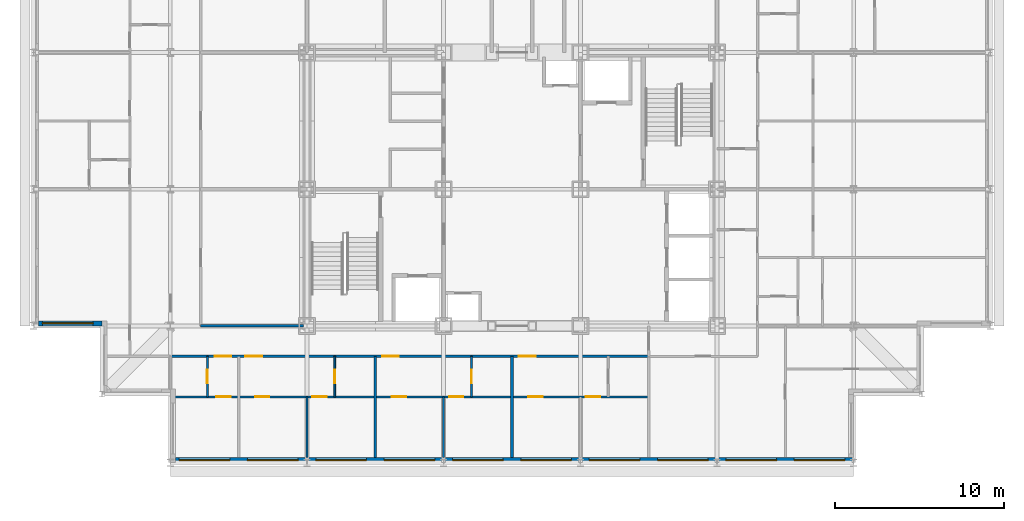
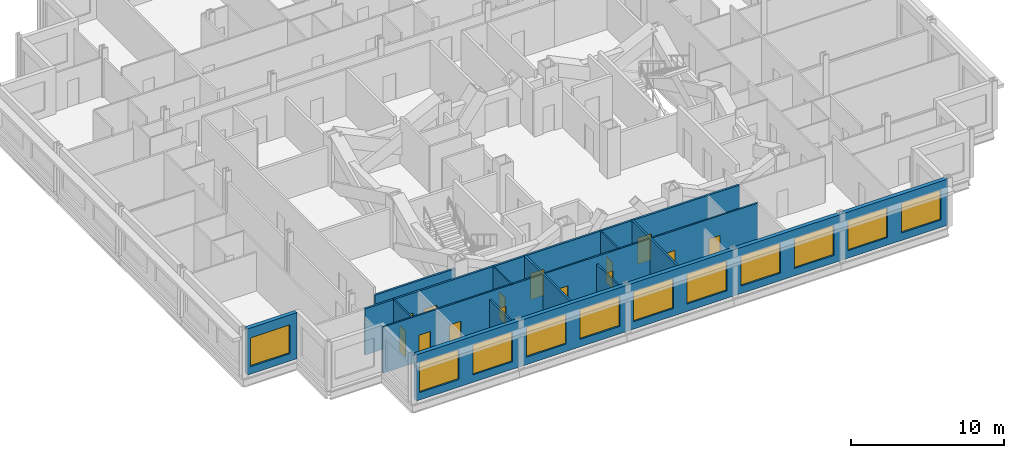
# One storey, part 7 of 16: 14 doors, 12 walls, 11 windows, 25 openings.
"""IFC4 building model written with IfcOpenShell, lengths in metres."""

from ifc_helpers import new_model, si_unit, direction, frame, frame_2d, origin, place, context, subcontext, project, spatial, rectangle, extrude, material, layer, layer_set, type_object, element, fill, save


model = new_model("IFC4")

# Units and contexts
model_context = context("Model", 3, precision=1e-05, world=origin(), true_north=direction((0.0, 1.0)))
body_context = subcontext(model_context, "Body", "Model", "MODEL_VIEW")
ifc_project = project(units=[si_unit("LENGTHUNIT", "METRE"), si_unit("AREAUNIT", "SQUARE_METRE"), si_unit("VOLUMEUNIT", "CUBIC_METRE"), si_unit("PLANEANGLEUNIT", "RADIAN"), si_unit("MASSUNIT", "GRAM", prefix="KILO")], contexts=[model_context])

# Site, building, storey
site_placement = place(None, origin())
site = spatial("IfcSite", under=ifc_project, at=site_placement, CompositionType="ELEMENT")
building_placement = place(site_placement, origin())
building = spatial("IfcBuilding", under=site, at=building_placement, Name="Kopane Lantern Tower", CompositionType="ELEMENT")
storey_placement = place(building_placement, frame((0.0, 0.0, 265.800048828125)))
storey = spatial("IfcBuildingStorey", under=building, at=storey_placement, Name="L68", CompositionType="ELEMENT", Elevation=265.800048828125)

# Walls
ifc_material_1 = material(Name="Gypsum board on steel studs", Category="steel")
ifc_layer_1 = layer(ifc_material_1, 0.1201171875)
ifc_layer_set_1 = layer_set([ifc_layer_1], Name="APARTMENT INTERNAL WALL 120")
wall_type_1 = type_object("IfcWallType", Name="APARTMENT INTERNAL WALL 120", PredefinedType="PARTITIONING", material=ifc_layer_set_1)
for number, where, z_axis, x_axis, name in (
    (1, (16.199951171875, 20.10009765625, 0.0), (0.0, 0.0, 1.0), (0.0, -1.0, 0.0), "Apartment Internal Wall 120 L68"),
    (2, (24.300048828125, 20.10009765625, 0.0), (0.0, 0.0, 1.0), (0.0, -1.0, 0.0), "Apartment Internal Wall 120 L68"),
):
    element("IfcWall", number, at=place(storey_placement, frame(where, z_axis=z_axis, x_axis=x_axis)), inside=storey, type_object=wall_type_1, Name=name, PredefinedType="PARTITIONING", context=body_context, shape_type="SweptSolid", body=[
        extrude(rectangle(XDim=3.60009765625, YDim=0.1201171875, at=frame_2d((1.800048828125, 0.0))), origin(), (0.0, 0.0, 1.0), 3.07763671875),
    ])

# Wall, openings, doors
wall_1_placement = place(storey_placement, frame((8.10009765625, 20.10009765625, 0.0), z_axis=(0.0, 0.0, 1.0), x_axis=(1.0, 0.0, 0.0)))
wall_1 = element("IfcWall", 3, at=wall_1_placement, inside=storey, type_object=wall_type_1, Name="Apartment Internal Wall 120 L68", PredefinedType="PARTITIONING", context=body_context, shape_type="SweptSolid", body=[
    extrude(rectangle(XDim=28.349853515625, YDim=0.1201171875, at=frame_2d((14.1748046875, 0.0))), origin(), (0.0, 0.0, 1.0), 3.68994140625),
])
opening_1_placement = place(wall_1_placement, frame((5.02490234375, 0.0, 0.0)))
opening_1 = element("IfcOpeningElement", 4, at=opening_1_placement, cuts=wall_1, Name="Opening L68-011", PredefinedType="OPENING", context=body_context, shape_type="SweptSolid", body=[
    extrude(rectangle(XDim=0.85009765625, YDim=2.10009765625, at=frame_2d((0.425048828125, 1.050048828125))), frame((0.0, 0.070068359375, 0.0), z_axis=(0.0, -1.0, 0.0), x_axis=(1.0, 0.0, 0.0)), (0.0, 0.0, 1.0), 0.14013671875),
])
opening_2_placement = place(wall_1_placement, frame((8.425048828125, 0.0, 0.0)))
opening_2 = element("IfcOpeningElement", 5, at=opening_2_placement, cuts=wall_1, Name="Opening L68-012", PredefinedType="OPENING", context=body_context, shape_type="SweptSolid", body=[
    extrude(rectangle(XDim=0.85009765625, YDim=2.10009765625, at=frame_2d((0.425048828125, 1.050048828125))), frame((0.0, 0.070068359375, 0.0), z_axis=(0.0, -1.0, 0.0), x_axis=(1.0, 0.0, 0.0)), (0.0, 0.0, 1.0), 0.14013671875),
])
opening_3_placement = place(wall_1_placement, frame((13.125, 0.0, 0.0)))
opening_3 = element("IfcOpeningElement", 6, at=opening_3_placement, cuts=wall_1, Name="Opening L68-015", PredefinedType="OPENING", context=body_context, shape_type="SweptSolid", body=[
    extrude(rectangle(XDim=0.85009765625, YDim=2.10009765625, at=frame_2d((0.425048828125, 1.050048828125))), frame((0.0, 0.070068359375, 0.0), z_axis=(0.0, -1.0, 0.0), x_axis=(1.0, 0.0, 0.0)), (0.0, 0.0, 1.0), 0.14013671875),
])
opening_4_placement = place(wall_1_placement, frame((16.52490234375, 0.0, 0.0)))
opening_4 = element("IfcOpeningElement", 7, at=opening_4_placement, cuts=wall_1, Name="Opening L68-016", PredefinedType="OPENING", context=body_context, shape_type="SweptSolid", body=[
    extrude(rectangle(XDim=0.85009765625, YDim=2.10009765625, at=frame_2d((0.425048828125, 1.050048828125))), frame((0.0, 0.070068359375, 0.0), z_axis=(0.0, -1.0, 0.0), x_axis=(1.0, 0.0, 0.0)), (0.0, 0.0, 1.0), 0.14013671875),
])
opening_5_placement = place(wall_1_placement, frame((21.22509765625, 0.0, 0.0)))
opening_5 = element("IfcOpeningElement", 8, at=opening_5_placement, cuts=wall_1, Name="Opening L68-019", PredefinedType="OPENING", context=body_context, shape_type="SweptSolid", body=[
    extrude(rectangle(XDim=0.85009765625, YDim=2.10009765625, at=frame_2d((0.425048828125, 1.050048828125))), frame((0.0, 0.070068359375, 0.0), z_axis=(0.0, -1.0, 0.0), x_axis=(1.0, 0.0, 0.0)), (0.0, 0.0, 1.0), 0.14013671875),
])
opening_6_placement = place(wall_1_placement, frame((24.625, 0.0, 0.0)))
opening_6 = element("IfcOpeningElement", 9, at=opening_6_placement, cuts=wall_1, Name="Opening L68-020", PredefinedType="OPENING", context=body_context, shape_type="SweptSolid", body=[
    extrude(rectangle(XDim=0.85009765625, YDim=2.10009765625, at=frame_2d((0.425048828125, 1.050048828125))), frame((0.0, 0.070068359375, 0.0), z_axis=(0.0, -1.0, 0.0), x_axis=(1.0, 0.0, 0.0)), (0.0, 0.0, 1.0), 0.14013671875),
])
opening_7_placement = place(wall_1_placement, frame((2.72509765625, 0.0, 0.0)))
opening_7 = element("IfcOpeningElement", 10, at=opening_7_placement, cuts=wall_1, Name="Opening L68-042", PredefinedType="OPENING", context=body_context, shape_type="SweptSolid", body=[
    extrude(rectangle(XDim=0.85009765625, YDim=2.10009765625, at=frame_2d((0.425048828125, 1.050048828125))), frame((0.0, 0.070068359375, 0.0), z_axis=(0.0, -1.0, 0.0), x_axis=(1.0, 0.0, 0.0)), (0.0, 0.0, 1.0), 0.14013671875),
])
ifc_material_2 = material(Name="Timber door set", Category="wood")
door_type_1 = type_object("IfcDoorType", Name="DOOR D4 850x2100", OperationType="SINGLE_SWING_LEFT", PredefinedType="DOOR", material=ifc_material_2)
door_1_placement = place(opening_1_placement, origin())
door_1 = element("IfcDoor", 11, at=door_1_placement, inside=storey, type_object=door_type_1, Name="Door L68-011", OperationType="SINGLE_SWING_LEFT", OverallHeight=2.10009765625, OverallWidth=0.85009765625, PredefinedType="DOOR", context=body_context, shape_type="SweptSolid", body=[
    extrude(rectangle(XDim=0.85009765625, YDim=2.10009765625, at=frame_2d((0.425048828125, 1.050048828125))), frame((0.0, 0.02490234375, 0.0), z_axis=(0.0, -1.0, 0.0), x_axis=(1.0, 0.0, 0.0)), (0.0, 0.0, 1.0), 0.050048828125),
])
fill(opening_1, door_1)
door_2_placement = place(opening_2_placement, origin())
door_2 = element("IfcDoor", 12, at=door_2_placement, inside=storey, type_object=door_type_1, Name="Door L68-012", OperationType="SINGLE_SWING_RIGHT", OverallHeight=2.10009765625, OverallWidth=0.85009765625, PredefinedType="DOOR", context=body_context, shape_type="SweptSolid", body=[
    extrude(rectangle(XDim=0.85009765625, YDim=2.10009765625, at=frame_2d((0.425048828125, 1.050048828125))), frame((0.0, 0.02490234375, 0.0), z_axis=(0.0, -1.0, 0.0), x_axis=(1.0, 0.0, 0.0)), (0.0, 0.0, 1.0), 0.050048828125),
])
fill(opening_2, door_2)
door_3_placement = place(opening_3_placement, origin())
door_3 = element("IfcDoor", 13, at=door_3_placement, inside=storey, type_object=door_type_1, Name="Door L68-015", OperationType="SINGLE_SWING_LEFT", OverallHeight=2.10009765625, OverallWidth=0.85009765625, PredefinedType="DOOR", context=body_context, shape_type="SweptSolid", body=[
    extrude(rectangle(XDim=0.85009765625, YDim=2.10009765625, at=frame_2d((0.425048828125, 1.050048828125))), frame((0.0, 0.02490234375, 0.0), z_axis=(0.0, -1.0, 0.0), x_axis=(1.0, 0.0, 0.0)), (0.0, 0.0, 1.0), 0.050048828125),
])
fill(opening_3, door_3)
door_4_placement = place(opening_4_placement, origin())
door_4 = element("IfcDoor", 14, at=door_4_placement, inside=storey, type_object=door_type_1, Name="Door L68-016", OperationType="SINGLE_SWING_RIGHT", OverallHeight=2.10009765625, OverallWidth=0.85009765625, PredefinedType="DOOR", context=body_context, shape_type="SweptSolid", body=[
    extrude(rectangle(XDim=0.85009765625, YDim=2.10009765625, at=frame_2d((0.425048828125, 1.050048828125))), frame((0.0, 0.02490234375, 0.0), z_axis=(0.0, -1.0, 0.0), x_axis=(1.0, 0.0, 0.0)), (0.0, 0.0, 1.0), 0.050048828125),
])
fill(opening_4, door_4)
door_5_placement = place(opening_5_placement, origin())
door_5 = element("IfcDoor", 15, at=door_5_placement, inside=storey, type_object=door_type_1, Name="Door L68-019", OperationType="SINGLE_SWING_LEFT", OverallHeight=2.10009765625, OverallWidth=0.85009765625, PredefinedType="DOOR", context=body_context, shape_type="SweptSolid", body=[
    extrude(rectangle(XDim=0.85009765625, YDim=2.10009765625, at=frame_2d((0.425048828125, 1.050048828125))), frame((0.0, 0.02490234375, 0.0), z_axis=(0.0, -1.0, 0.0), x_axis=(1.0, 0.0, 0.0)), (0.0, 0.0, 1.0), 0.050048828125),
])
fill(opening_5, door_5)
door_6_placement = place(opening_6_placement, origin())
door_6 = element("IfcDoor", 16, at=door_6_placement, inside=storey, type_object=door_type_1, Name="Door L68-020", OperationType="SINGLE_SWING_RIGHT", OverallHeight=2.10009765625, OverallWidth=0.85009765625, PredefinedType="DOOR", context=body_context, shape_type="SweptSolid", body=[
    extrude(rectangle(XDim=0.85009765625, YDim=2.10009765625, at=frame_2d((0.425048828125, 1.050048828125))), frame((0.0, 0.02490234375, 0.0), z_axis=(0.0, -1.0, 0.0), x_axis=(1.0, 0.0, 0.0)), (0.0, 0.0, 1.0), 0.050048828125),
])
fill(opening_6, door_6)
door_7_placement = place(opening_7_placement, origin())
door_7 = element("IfcDoor", 17, at=door_7_placement, inside=storey, type_object=door_type_1, Name="Door L68-042", OperationType="SINGLE_SWING_LEFT", OverallHeight=2.10009765625, OverallWidth=0.85009765625, PredefinedType="DOOR", context=body_context, shape_type="SweptSolid", body=[
    extrude(rectangle(XDim=0.85009765625, YDim=2.10009765625, at=frame_2d((0.425048828125, 1.050048828125))), frame((0.0, 0.02490234375, 0.0), z_axis=(0.0, -1.0, 0.0), x_axis=(1.0, 0.0, 0.0)), (0.0, 0.0, 1.0), 0.050048828125),
])
fill(opening_7, door_7)

# Wall, opening, door
ifc_material_3 = material(Name="Moisture-resistant board on steel studs", Category="steel")
ifc_layer_2 = layer(ifc_material_3, 0.10009765625)
ifc_layer_set_2 = layer_set([ifc_layer_2], Name="BATHROOM WALL 100")
wall_type_2 = type_object("IfcWallType", Name="BATHROOM WALL 100", PredefinedType="PARTITIONING", material=ifc_layer_set_2)
wall_2_placement = place(storey_placement, frame((17.85009765625, 22.5, 0.0), z_axis=(0.0, 0.0, 1.0), x_axis=(0.0, -1.0, 0.0)))
wall_2 = element("IfcWall", 18, at=wall_2_placement, inside=storey, type_object=wall_type_2, Name="Bathroom Wall 100 L68", PredefinedType="PARTITIONING", context=body_context, shape_type="SweptSolid", body=[
    extrude(rectangle(XDim=2.39990234375, YDim=0.10009765625, at=frame_2d((1.199951171875, 0.0))), origin(), (0.0, 0.0, 1.0), 3.68994140625),
])
opening_8_placement = place(wall_2_placement, frame((0.800048828125, 0.0, 0.0)))
opening_8 = element("IfcOpeningElement", 19, at=opening_8_placement, cuts=wall_2, Name="Opening L68-009", PredefinedType="OPENING", context=body_context, shape_type="SweptSolid", body=[
    extrude(rectangle(XDim=0.800048828125, YDim=2.10009765625, at=frame_2d((0.39990234375, 1.050048828125))), frame((0.0, 0.06005859375, 0.0), z_axis=(0.0, -1.0, 0.0), x_axis=(1.0, 0.0, 0.0)), (0.0, 0.0, 1.0), 0.1201171875),
])
ifc_material_4 = material(Name="Timber door set", Category="wood")
door_type_2 = type_object("IfcDoorType", Name="DOOR D2 800x2100", OperationType="SINGLE_SWING_LEFT", PredefinedType="DOOR", material=ifc_material_4)
door_8_placement = place(opening_8_placement, origin())
door_8 = element("IfcDoor", 20, at=door_8_placement, inside=storey, type_object=door_type_2, Name="Door L68-009", OperationType="SINGLE_SWING_LEFT", OverallHeight=2.10009765625, OverallWidth=0.800048828125, PredefinedType="DOOR", context=body_context, shape_type="SweptSolid", body=[
    extrude(rectangle(XDim=0.800048828125, YDim=2.10009765625, at=frame_2d((0.39990234375, 1.050048828125))), frame((0.0, 0.02490234375, 0.0), z_axis=(0.0, -1.0, 0.0), x_axis=(1.0, 0.0, 0.0)), (0.0, 0.0, 1.0), 0.050048828125),
])
fill(opening_8, door_8)

wall_3_placement = place(storey_placement, frame((25.949951171875, 22.5, 0.0), z_axis=(0.0, 0.0, 1.0), x_axis=(0.0, -1.0, 0.0)))
wall_3 = element("IfcWall", 21, at=wall_3_placement, inside=storey, type_object=wall_type_2, Name="Bathroom Wall 100 L68", PredefinedType="PARTITIONING", context=body_context, shape_type="SweptSolid", body=[
    extrude(rectangle(XDim=2.39990234375, YDim=0.10009765625, at=frame_2d((1.199951171875, 0.0))), origin(), (0.0, 0.0, 1.0), 3.68994140625),
])
opening_9_placement = place(wall_3_placement, frame((0.800048828125, 0.0, 0.0)))
opening_9 = element("IfcOpeningElement", 22, at=opening_9_placement, cuts=wall_3, Name="Opening L68-013", PredefinedType="OPENING", context=body_context, shape_type="SweptSolid", body=[
    extrude(rectangle(XDim=0.800048828125, YDim=2.10009765625, at=frame_2d((0.39990234375, 1.050048828125))), frame((0.0, 0.06005859375, 0.0), z_axis=(0.0, -1.0, 0.0), x_axis=(1.0, 0.0, 0.0)), (0.0, 0.0, 1.0), 0.1201171875),
])
door_9_placement = place(opening_9_placement, origin())
door_9 = element("IfcDoor", 23, at=door_9_placement, inside=storey, type_object=door_type_2, Name="Door L68-013", OperationType="SINGLE_SWING_LEFT", OverallHeight=2.10009765625, OverallWidth=0.800048828125, PredefinedType="DOOR", context=body_context, shape_type="SweptSolid", body=[
    extrude(rectangle(XDim=0.800048828125, YDim=2.10009765625, at=frame_2d((0.39990234375, 1.050048828125))), frame((0.0, 0.02490234375, 0.0), z_axis=(0.0, -1.0, 0.0), x_axis=(1.0, 0.0, 0.0)), (0.0, 0.0, 1.0), 0.050048828125),
])
fill(opening_9, door_9)

wall_4_placement = place(storey_placement, frame((10.300048828125, 22.5, 0.0), z_axis=(0.0, 0.0, 1.0), x_axis=(0.0, -1.0, 0.0)))
wall_4 = element("IfcWall", 24, at=wall_4_placement, inside=storey, type_object=wall_type_2, Name="Bathroom Wall 100 L68", PredefinedType="PARTITIONING", context=body_context, shape_type="SweptSolid", body=[
    extrude(rectangle(XDim=2.39990234375, YDim=0.10009765625, at=frame_2d((1.199951171875, 0.0))), origin(), (0.0, 0.0, 1.0), 3.68994140625),
])
opening_10_placement = place(wall_4_placement, frame((0.800048828125, 0.0, 0.0)))
opening_10 = element("IfcOpeningElement", 25, at=opening_10_placement, cuts=wall_4, Name="Opening L68-040", PredefinedType="OPENING", context=body_context, shape_type="SweptSolid", body=[
    extrude(rectangle(XDim=0.800048828125, YDim=2.10009765625, at=frame_2d((0.39990234375, 1.050048828125))), frame((0.0, 0.06005859375, 0.0), z_axis=(0.0, -1.0, 0.0), x_axis=(1.0, 0.0, 0.0)), (0.0, 0.0, 1.0), 0.1201171875),
])
door_10_placement = place(opening_10_placement, origin())
door_10 = element("IfcDoor", 26, at=door_10_placement, inside=storey, type_object=door_type_2, Name="Door L68-040", OperationType="SINGLE_SWING_RIGHT", OverallHeight=2.10009765625, OverallWidth=0.800048828125, PredefinedType="DOOR", context=body_context, shape_type="SweptSolid", body=[
    extrude(rectangle(XDim=0.800048828125, YDim=2.10009765625, at=frame_2d((0.39990234375, 1.050048828125))), frame((0.0, 0.02490234375, 0.0), z_axis=(0.0, -1.0, 0.0), x_axis=(1.0, 0.0, 0.0)), (0.0, 0.0, 1.0), 0.050048828125),
])
fill(opening_10, door_10)

# Wall, openings, doors
ifc_material_5 = material(Name="Gypsum board on steel studs", Category="steel")
ifc_layer_3 = layer(ifc_material_5, 0.14990234375)
ifc_layer_set_3 = layer_set([ifc_layer_3], Name="CORRIDOR WALL 150 EI 60")
wall_type_3 = type_object("IfcWallType", Name="CORRIDOR WALL 150 EI 60", PredefinedType="PARTITIONING", material=ifc_layer_set_3)
wall_5_placement = place(storey_placement, frame((8.10009765625, 22.5, 0.0), z_axis=(0.0, 0.0, 1.0), x_axis=(1.0, 0.0, 0.0)))
wall_5 = element("IfcWall", 27, at=wall_5_placement, inside=storey, type_object=wall_type_3, Name="Corridor Wall 150 Ei 60 L68", PredefinedType="PARTITIONING", context=body_context, shape_type="SweptSolid", body=[
    extrude(rectangle(XDim=28.349853515625, YDim=0.14990234375, at=frame_2d((14.1748046875, 0.0))), origin(), (0.0, 0.0, 1.0), 3.68994140625),
])
opening_11_placement = place(wall_5_placement, frame((4.449951171875, 0.0, 0.0)))
opening_11 = element("IfcOpeningElement", 28, at=opening_11_placement, cuts=wall_5, Name="Opening L68-010", PredefinedType="OPENING", context=body_context, shape_type="SweptSolid", body=[
    extrude(rectangle(XDim=1.0, YDim=2.10009765625, at=frame_2d((0.5, 1.050048828125))), frame((0.0, 0.0849609375, 0.0), z_axis=(0.0, -1.0, 0.0), x_axis=(1.0, 0.0, 0.0)), (0.0, 0.0, 1.0), 0.169921875),
])
opening_12_placement = place(wall_5_placement, frame((12.550048828125, 0.0, 0.0)))
opening_12 = element("IfcOpeningElement", 29, at=opening_12_placement, cuts=wall_5, Name="Opening L68-014", PredefinedType="OPENING", context=body_context, shape_type="SweptSolid", body=[
    extrude(rectangle(XDim=1.0, YDim=2.10009765625, at=frame_2d((0.5, 1.050048828125))), frame((0.0, 0.0849609375, 0.0), z_axis=(0.0, -1.0, 0.0), x_axis=(1.0, 0.0, 0.0)), (0.0, 0.0, 1.0), 0.169921875),
])
opening_13_placement = place(wall_5_placement, frame((20.64990234375, 0.0, 0.0)))
opening_13 = element("IfcOpeningElement", 30, at=opening_13_placement, cuts=wall_5, Name="Opening L68-018", PredefinedType="OPENING", context=body_context, shape_type="SweptSolid", body=[
    extrude(rectangle(XDim=1.0, YDim=2.10009765625, at=frame_2d((0.5, 1.050048828125))), frame((0.0, 0.0849609375, 0.0), z_axis=(0.0, -1.0, 0.0), x_axis=(1.0, 0.0, 0.0)), (0.0, 0.0, 1.0), 0.169921875),
])
opening_14_placement = place(wall_5_placement, frame((2.625, 0.0, 0.0)))
opening_14 = element("IfcOpeningElement", 31, at=opening_14_placement, cuts=wall_5, Name="Opening L68-041", PredefinedType="OPENING", context=body_context, shape_type="SweptSolid", body=[
    extrude(rectangle(XDim=1.0, YDim=2.10009765625, at=frame_2d((0.5, 1.050048828125))), frame((0.0, 0.0849609375, 0.0), z_axis=(0.0, -1.0, 0.0), x_axis=(1.0, 0.0, 0.0)), (0.0, 0.0, 1.0), 0.169921875),
])
ifc_material_6 = material(Name="Steel door set", Category="steel")
door_type_3 = type_object("IfcDoorType", Name="DOOR D3 1000x2100 FD30S", OperationType="SINGLE_SWING_LEFT", PredefinedType="DOOR", material=ifc_material_6)
door_11_placement = place(opening_11_placement, origin())
door_11 = element("IfcDoor", 32, at=door_11_placement, inside=storey, type_object=door_type_3, Name="Door L68-010", OperationType="SINGLE_SWING_RIGHT", OverallHeight=2.10009765625, OverallWidth=1.0, PredefinedType="DOOR", context=body_context, shape_type="SweptSolid", body=[
    extrude(rectangle(XDim=1.0, YDim=2.10009765625, at=frame_2d((0.5, 1.050048828125))), frame((0.0, 0.02490234375, 0.0), z_axis=(0.0, -1.0, 0.0), x_axis=(1.0, 0.0, 0.0)), (0.0, 0.0, 1.0), 0.050048828125),
])
fill(opening_11, door_11)
door_12_placement = place(opening_12_placement, origin())
door_12 = element("IfcDoor", 33, at=door_12_placement, inside=storey, type_object=door_type_3, Name="Door L68-014", OperationType="SINGLE_SWING_RIGHT", OverallHeight=2.10009765625, OverallWidth=1.0, PredefinedType="DOOR", context=body_context, shape_type="SweptSolid", body=[
    extrude(rectangle(XDim=1.0, YDim=2.10009765625, at=frame_2d((0.5, 1.050048828125))), frame((0.0, 0.02490234375, 0.0), z_axis=(0.0, -1.0, 0.0), x_axis=(1.0, 0.0, 0.0)), (0.0, 0.0, 1.0), 0.050048828125),
])
fill(opening_12, door_12)
door_13_placement = place(opening_13_placement, origin())
door_13 = element("IfcDoor", 34, at=door_13_placement, inside=storey, type_object=door_type_3, Name="Door L68-018", OperationType="SINGLE_SWING_RIGHT", OverallHeight=2.10009765625, OverallWidth=1.0, PredefinedType="DOOR", context=body_context, shape_type="SweptSolid", body=[
    extrude(rectangle(XDim=1.0, YDim=2.10009765625, at=frame_2d((0.5, 1.050048828125))), frame((0.0, 0.02490234375, 0.0), z_axis=(0.0, -1.0, 0.0), x_axis=(1.0, 0.0, 0.0)), (0.0, 0.0, 1.0), 0.050048828125),
])
fill(opening_13, door_13)
door_14_placement = place(opening_14_placement, origin())
door_14 = element("IfcDoor", 35, at=door_14_placement, inside=storey, type_object=door_type_3, Name="Door L68-041", OperationType="SINGLE_SWING_RIGHT", OverallHeight=2.10009765625, OverallWidth=1.0, PredefinedType="DOOR", context=body_context, shape_type="SweptSolid", body=[
    extrude(rectangle(XDim=1.0, YDim=2.10009765625, at=frame_2d((0.5, 1.050048828125))), frame((0.0, 0.02490234375, 0.0), z_axis=(0.0, -1.0, 0.0), x_axis=(1.0, 0.0, 0.0)), (0.0, 0.0, 1.0), 0.050048828125),
])
fill(opening_14, door_14)

# Walls
wall_6_placement = place(storey_placement, frame((16.0, 24.300048828125, 0.0), z_axis=(0.0, 0.0, 1.0), x_axis=(-1.0, 0.0, 0.0)))
element("IfcWall", 36, at=wall_6_placement, inside=storey, type_object=wall_type_3, Name="Corridor Wall 150 Ei 60 L68", PredefinedType="PARTITIONING", context=body_context, shape_type="SweptSolid", body=[
    extrude(rectangle(XDim=6.10009765625, YDim=0.14990234375, at=frame_2d((3.050048828125, 0.0))), origin(), (0.0, 0.0, 1.0), 3.07763671875),
])
ifc_material_7 = material(Name="Gypsum board on steel studs", Category="steel")
ifc_layer_4 = layer(ifc_material_7, 0.14990234375)
ifc_layer_set_4 = layer_set([ifc_layer_4], Name="DEMISING WALL 150 EI 60")
wall_type_4 = type_object("IfcWallType", Name="DEMISING WALL 150 EI 60", PredefinedType="PARTITIONING", material=ifc_layer_set_4)
for number, where, z_axis, x_axis, name in (
    (37, (20.25, 22.5, 0.0), (0.0, 0.0, 1.0), (0.0, -1.0, 0.0), "Demising Wall 150 Ei 60 L68"),
    (38, (28.35009765625, 22.5, 0.0), (0.0, 0.0, 1.0), (0.0, -1.0, 0.0), "Demising Wall 150 Ei 60 L68"),
):
    element("IfcWall", number, at=place(storey_placement, frame(where, z_axis=z_axis, x_axis=x_axis)), inside=storey, type_object=wall_type_4, Name=name, PredefinedType="PARTITIONING", context=body_context, shape_type="SweptSolid", body=[
        extrude(rectangle(XDim=6.0, YDim=0.14990234375, at=frame_2d((3.0, 0.0))), origin(), (0.0, 0.0, 1.0), 3.68994140625),
    ])

# Wall, openings, windows
ifc_material_8 = material(Name="Terracotta rainscreen on light steel framing", Category="masonry")
ifc_layer_5 = layer(ifc_material_8, 0.300048828125)
ifc_layer_set_5 = layer_set([ifc_layer_5], Name="EXTERNAL WALL EW1 300 TERRACOTTA")
wall_type_5 = type_object("IfcWallType", Name="EXTERNAL WALL EW1 300 TERRACOTTA", PredefinedType="SOLIDWALL", material=ifc_layer_set_5)
wall_7_placement = place(storey_placement, frame((8.39990234375, 16.35009765625, 0.0), z_axis=(0.0, 0.0, 1.0), x_axis=(1.0, 0.0, 0.0)))
wall_7 = element("IfcWall", 39, at=wall_7_placement, inside=storey, type_object=wall_type_5, Name="External wall S L68", PredefinedType="SOLIDWALL", context=body_context, shape_type="SweptSolid", body=[
    extrude(rectangle(XDim=40.2001953125, YDim=0.300048828125, at=frame_2d((20.10009765625, 0.0))), origin(), (0.0, 0.0, 1.0), 3.68994140625),
])
opening_15_placement = place(wall_7_placement, frame((0.22509765625, 0.0, 0.60009765625)))
opening_15 = element("IfcOpeningElement", 40, at=opening_15_placement, cuts=wall_7, Name="Opening WR300240", PredefinedType="OPENING", context=body_context, shape_type="SweptSolid", body=[
    extrude(rectangle(XDim=3.0, YDim=2.39990234375, at=frame_2d((1.5, 1.199951171875))), frame((0.0, 0.159912109375, 0.0), z_axis=(0.0, -1.0, 0.0), x_axis=(1.0, 0.0, 0.0)), (0.0, 0.0, 1.0), 0.320068359375),
])
opening_16_placement = place(wall_7_placement, frame((4.27490234375, 0.0, 0.60009765625)))
opening_16 = element("IfcOpeningElement", 41, at=opening_16_placement, cuts=wall_7, Name="Opening WR300240", PredefinedType="OPENING", context=body_context, shape_type="SweptSolid", body=[
    extrude(rectangle(XDim=3.0, YDim=2.39990234375, at=frame_2d((1.5, 1.199951171875))), frame((0.0, 0.159912109375, 0.0), z_axis=(0.0, -1.0, 0.0), x_axis=(1.0, 0.0, 0.0)), (0.0, 0.0, 1.0), 0.320068359375),
])
opening_17_placement = place(wall_7_placement, frame((8.324951171875, 0.0, 0.60009765625)))
opening_17 = element("IfcOpeningElement", 42, at=opening_17_placement, cuts=wall_7, Name="Opening WR300240", PredefinedType="OPENING", context=body_context, shape_type="SweptSolid", body=[
    extrude(rectangle(XDim=3.0, YDim=2.39990234375, at=frame_2d((1.5, 1.199951171875))), frame((0.0, 0.159912109375, 0.0), z_axis=(0.0, -1.0, 0.0), x_axis=(1.0, 0.0, 0.0)), (0.0, 0.0, 1.0), 0.320068359375),
])
opening_18_placement = place(wall_7_placement, frame((12.375, 0.0, 0.60009765625)))
opening_18 = element("IfcOpeningElement", 43, at=opening_18_placement, cuts=wall_7, Name="Opening WR300240", PredefinedType="OPENING", context=body_context, shape_type="SweptSolid", body=[
    extrude(rectangle(XDim=3.0, YDim=2.39990234375, at=frame_2d((1.5, 1.199951171875))), frame((0.0, 0.159912109375, 0.0), z_axis=(0.0, -1.0, 0.0), x_axis=(1.0, 0.0, 0.0)), (0.0, 0.0, 1.0), 0.320068359375),
])
opening_19_placement = place(wall_7_placement, frame((16.425048828125, 0.0, 0.60009765625)))
opening_19 = element("IfcOpeningElement", 44, at=opening_19_placement, cuts=wall_7, Name="Opening WR300240", PredefinedType="OPENING", context=body_context, shape_type="SweptSolid", body=[
    extrude(rectangle(XDim=3.0, YDim=2.39990234375, at=frame_2d((1.5, 1.199951171875))), frame((0.0, 0.159912109375, 0.0), z_axis=(0.0, -1.0, 0.0), x_axis=(1.0, 0.0, 0.0)), (0.0, 0.0, 1.0), 0.320068359375),
])
opening_20_placement = place(wall_7_placement, frame((20.47509765625, 0.0, 0.60009765625)))
opening_20 = element("IfcOpeningElement", 45, at=opening_20_placement, cuts=wall_7, Name="Opening WR300240", PredefinedType="OPENING", context=body_context, shape_type="SweptSolid", body=[
    extrude(rectangle(XDim=3.0, YDim=2.39990234375, at=frame_2d((1.5, 1.199951171875))), frame((0.0, 0.159912109375, 0.0), z_axis=(0.0, -1.0, 0.0), x_axis=(1.0, 0.0, 0.0)), (0.0, 0.0, 1.0), 0.320068359375),
])
opening_21_placement = place(wall_7_placement, frame((24.52490234375, 0.0, 0.60009765625)))
opening_21 = element("IfcOpeningElement", 46, at=opening_21_placement, cuts=wall_7, Name="Opening WR300240", PredefinedType="OPENING", context=body_context, shape_type="SweptSolid", body=[
    extrude(rectangle(XDim=3.0, YDim=2.39990234375, at=frame_2d((1.5, 1.199951171875))), frame((0.0, 0.159912109375, 0.0), z_axis=(0.0, -1.0, 0.0), x_axis=(1.0, 0.0, 0.0)), (0.0, 0.0, 1.0), 0.320068359375),
])
opening_22_placement = place(wall_7_placement, frame((28.574951171875, 0.0, 0.60009765625)))
opening_22 = element("IfcOpeningElement", 47, at=opening_22_placement, cuts=wall_7, Name="Opening WR300240", PredefinedType="OPENING", context=body_context, shape_type="SweptSolid", body=[
    extrude(rectangle(XDim=3.0, YDim=2.39990234375, at=frame_2d((1.5, 1.199951171875))), frame((0.0, 0.159912109375, 0.0), z_axis=(0.0, -1.0, 0.0), x_axis=(1.0, 0.0, 0.0)), (0.0, 0.0, 1.0), 0.320068359375),
])
opening_23_placement = place(wall_7_placement, frame((32.625, 0.0, 0.60009765625)))
opening_23 = element("IfcOpeningElement", 48, at=opening_23_placement, cuts=wall_7, Name="Opening WR300240", PredefinedType="OPENING", context=body_context, shape_type="SweptSolid", body=[
    extrude(rectangle(XDim=3.0, YDim=2.39990234375, at=frame_2d((1.5, 1.199951171875))), frame((0.0, 0.159912109375, 0.0), z_axis=(0.0, -1.0, 0.0), x_axis=(1.0, 0.0, 0.0)), (0.0, 0.0, 1.0), 0.320068359375),
])
opening_24_placement = place(wall_7_placement, frame((36.675048828125, 0.0, 0.60009765625)))
opening_24 = element("IfcOpeningElement", 49, at=opening_24_placement, cuts=wall_7, Name="Opening WR300240", PredefinedType="OPENING", context=body_context, shape_type="SweptSolid", body=[
    extrude(rectangle(XDim=3.0, YDim=2.39990234375, at=frame_2d((1.5, 1.199951171875))), frame((0.0, 0.159912109375, 0.0), z_axis=(0.0, -1.0, 0.0), x_axis=(1.0, 0.0, 0.0)), (0.0, 0.0, 1.0), 0.320068359375),
])
ifc_material_9 = material(Name="Aluminium and clear glass", Category="aluminium")
window_type_1 = type_object("IfcWindowType", Name="RIBBON WINDOW WR300240 3000x2400", PartitioningType="SINGLE_PANEL", PredefinedType="WINDOW", material=ifc_material_9)
window_1_placement = place(opening_15_placement, origin())
window_1 = element("IfcWindow", 50, at=window_1_placement, inside=storey, type_object=window_type_1, Name="Window S L68", OverallHeight=2.39990234375, OverallWidth=3.0, PartitioningType="SINGLE_PANEL", PredefinedType="WINDOW", context=body_context, shape_type="SweptSolid", body=[
    extrude(rectangle(XDim=3.0, YDim=2.39990234375, at=frame_2d((1.5, 1.199951171875))), frame((0.0, 0.030029296875, 0.0), z_axis=(0.0, -1.0, 0.0), x_axis=(1.0, 0.0, 0.0)), (0.0, 0.0, 1.0), 0.06005859375),
])
fill(opening_15, window_1)
window_2_placement = place(opening_16_placement, origin())
window_2 = element("IfcWindow", 51, at=window_2_placement, inside=storey, type_object=window_type_1, Name="Window S L68", OverallHeight=2.39990234375, OverallWidth=3.0, PartitioningType="SINGLE_PANEL", PredefinedType="WINDOW", context=body_context, shape_type="SweptSolid", body=[
    extrude(rectangle(XDim=3.0, YDim=2.39990234375, at=frame_2d((1.5, 1.199951171875))), frame((0.0, 0.030029296875, 0.0), z_axis=(0.0, -1.0, 0.0), x_axis=(1.0, 0.0, 0.0)), (0.0, 0.0, 1.0), 0.06005859375),
])
fill(opening_16, window_2)
window_3_placement = place(opening_17_placement, origin())
window_3 = element("IfcWindow", 52, at=window_3_placement, inside=storey, type_object=window_type_1, Name="Window S L68", OverallHeight=2.39990234375, OverallWidth=3.0, PartitioningType="SINGLE_PANEL", PredefinedType="WINDOW", context=body_context, shape_type="SweptSolid", body=[
    extrude(rectangle(XDim=3.0, YDim=2.39990234375, at=frame_2d((1.5, 1.199951171875))), frame((0.0, 0.030029296875, 0.0), z_axis=(0.0, -1.0, 0.0), x_axis=(1.0, 0.0, 0.0)), (0.0, 0.0, 1.0), 0.06005859375),
])
fill(opening_17, window_3)
window_4_placement = place(opening_18_placement, origin())
window_4 = element("IfcWindow", 53, at=window_4_placement, inside=storey, type_object=window_type_1, Name="Window S L68", OverallHeight=2.39990234375, OverallWidth=3.0, PartitioningType="SINGLE_PANEL", PredefinedType="WINDOW", context=body_context, shape_type="SweptSolid", body=[
    extrude(rectangle(XDim=3.0, YDim=2.39990234375, at=frame_2d((1.5, 1.199951171875))), frame((0.0, 0.030029296875, 0.0), z_axis=(0.0, -1.0, 0.0), x_axis=(1.0, 0.0, 0.0)), (0.0, 0.0, 1.0), 0.06005859375),
])
fill(opening_18, window_4)
window_5_placement = place(opening_19_placement, origin())
window_5 = element("IfcWindow", 54, at=window_5_placement, inside=storey, type_object=window_type_1, Name="Window S L68", OverallHeight=2.39990234375, OverallWidth=3.0, PartitioningType="SINGLE_PANEL", PredefinedType="WINDOW", context=body_context, shape_type="SweptSolid", body=[
    extrude(rectangle(XDim=3.0, YDim=2.39990234375, at=frame_2d((1.5, 1.199951171875))), frame((0.0, 0.030029296875, 0.0), z_axis=(0.0, -1.0, 0.0), x_axis=(1.0, 0.0, 0.0)), (0.0, 0.0, 1.0), 0.06005859375),
])
fill(opening_19, window_5)
window_6_placement = place(opening_20_placement, origin())
window_6 = element("IfcWindow", 55, at=window_6_placement, inside=storey, type_object=window_type_1, Name="Window S L68", OverallHeight=2.39990234375, OverallWidth=3.0, PartitioningType="SINGLE_PANEL", PredefinedType="WINDOW", context=body_context, shape_type="SweptSolid", body=[
    extrude(rectangle(XDim=3.0, YDim=2.39990234375, at=frame_2d((1.5, 1.199951171875))), frame((0.0, 0.030029296875, 0.0), z_axis=(0.0, -1.0, 0.0), x_axis=(1.0, 0.0, 0.0)), (0.0, 0.0, 1.0), 0.06005859375),
])
fill(opening_20, window_6)
window_7_placement = place(opening_21_placement, origin())
window_7 = element("IfcWindow", 56, at=window_7_placement, inside=storey, type_object=window_type_1, Name="Window S L68", OverallHeight=2.39990234375, OverallWidth=3.0, PartitioningType="SINGLE_PANEL", PredefinedType="WINDOW", context=body_context, shape_type="SweptSolid", body=[
    extrude(rectangle(XDim=3.0, YDim=2.39990234375, at=frame_2d((1.5, 1.199951171875))), frame((0.0, 0.030029296875, 0.0), z_axis=(0.0, -1.0, 0.0), x_axis=(1.0, 0.0, 0.0)), (0.0, 0.0, 1.0), 0.06005859375),
])
fill(opening_21, window_7)
window_8_placement = place(opening_22_placement, origin())
window_8 = element("IfcWindow", 57, at=window_8_placement, inside=storey, type_object=window_type_1, Name="Window S L68", OverallHeight=2.39990234375, OverallWidth=3.0, PartitioningType="SINGLE_PANEL", PredefinedType="WINDOW", context=body_context, shape_type="SweptSolid", body=[
    extrude(rectangle(XDim=3.0, YDim=2.39990234375, at=frame_2d((1.5, 1.199951171875))), frame((0.0, 0.030029296875, 0.0), z_axis=(0.0, -1.0, 0.0), x_axis=(1.0, 0.0, 0.0)), (0.0, 0.0, 1.0), 0.06005859375),
])
fill(opening_22, window_8)
window_9_placement = place(opening_23_placement, origin())
window_9 = element("IfcWindow", 58, at=window_9_placement, inside=storey, type_object=window_type_1, Name="Window S L68", OverallHeight=2.39990234375, OverallWidth=3.0, PartitioningType="SINGLE_PANEL", PredefinedType="WINDOW", context=body_context, shape_type="SweptSolid", body=[
    extrude(rectangle(XDim=3.0, YDim=2.39990234375, at=frame_2d((1.5, 1.199951171875))), frame((0.0, 0.030029296875, 0.0), z_axis=(0.0, -1.0, 0.0), x_axis=(1.0, 0.0, 0.0)), (0.0, 0.0, 1.0), 0.06005859375),
])
fill(opening_23, window_9)
window_10_placement = place(opening_24_placement, origin())
window_10 = element("IfcWindow", 59, at=window_10_placement, inside=storey, type_object=window_type_1, Name="Window S L68", OverallHeight=2.39990234375, OverallWidth=3.0, PartitioningType="SINGLE_PANEL", PredefinedType="WINDOW", context=body_context, shape_type="SweptSolid", body=[
    extrude(rectangle(XDim=3.0, YDim=2.39990234375, at=frame_2d((1.5, 1.199951171875))), frame((0.0, 0.030029296875, 0.0), z_axis=(0.0, -1.0, 0.0), x_axis=(1.0, 0.0, 0.0)), (0.0, 0.0, 1.0), 0.06005859375),
])
fill(opening_24, window_10)

# Wall, opening, window
wall_8_placement = place(storey_placement, frame((0.300048828125, 24.449951171875, 0.0), z_axis=(0.0, 0.0, 1.0), x_axis=(1.0, 0.0, 0.0)))
wall_8 = element("IfcWall", 60, at=wall_8_placement, inside=storey, type_object=wall_type_5, Name="External wall S L68", PredefinedType="SOLIDWALL", context=body_context, shape_type="SweptSolid", body=[
    extrude(rectangle(XDim=3.75, YDim=0.300048828125, at=frame_2d((1.875, 0.0))), origin(), (0.0, 0.0, 1.0), 3.68994140625),
])
opening_25_placement = place(wall_8_placement, frame((0.22509765625, 0.0, 0.60009765625)))
opening_25 = element("IfcOpeningElement", 61, at=opening_25_placement, cuts=wall_8, Name="Opening WR300230", PredefinedType="OPENING", context=body_context, shape_type="SweptSolid", body=[
    extrude(rectangle(XDim=3.0, YDim=2.300048828125, at=frame_2d((1.5, 1.14990234375))), frame((0.0, 0.159912109375, 0.0), z_axis=(0.0, -1.0, 0.0), x_axis=(1.0, 0.0, 0.0)), (0.0, 0.0, 1.0), 0.320068359375),
])
ifc_material_10 = material(Name="Aluminium and clear glass", Category="aluminium")
window_type_2 = type_object("IfcWindowType", Name="RIBBON WINDOW WR300230 3000x2300", PartitioningType="SINGLE_PANEL", PredefinedType="WINDOW", material=ifc_material_10)
window_11_placement = place(opening_25_placement, origin())
window_11 = element("IfcWindow", 62, at=window_11_placement, inside=storey, type_object=window_type_2, Name="Window S L68", OverallHeight=2.300048828125, OverallWidth=3.0, PartitioningType="SINGLE_PANEL", PredefinedType="WINDOW", context=body_context, shape_type="SweptSolid", body=[
    extrude(rectangle(XDim=3.0, YDim=2.300048828125, at=frame_2d((1.5, 1.14990234375))), frame((0.0, 0.030029296875, 0.0), z_axis=(0.0, -1.0, 0.0), x_axis=(1.0, 0.0, 0.0)), (0.0, 0.0, 1.0), 0.06005859375),
])
fill(opening_25, window_11)

save(model, "model.ifc")
